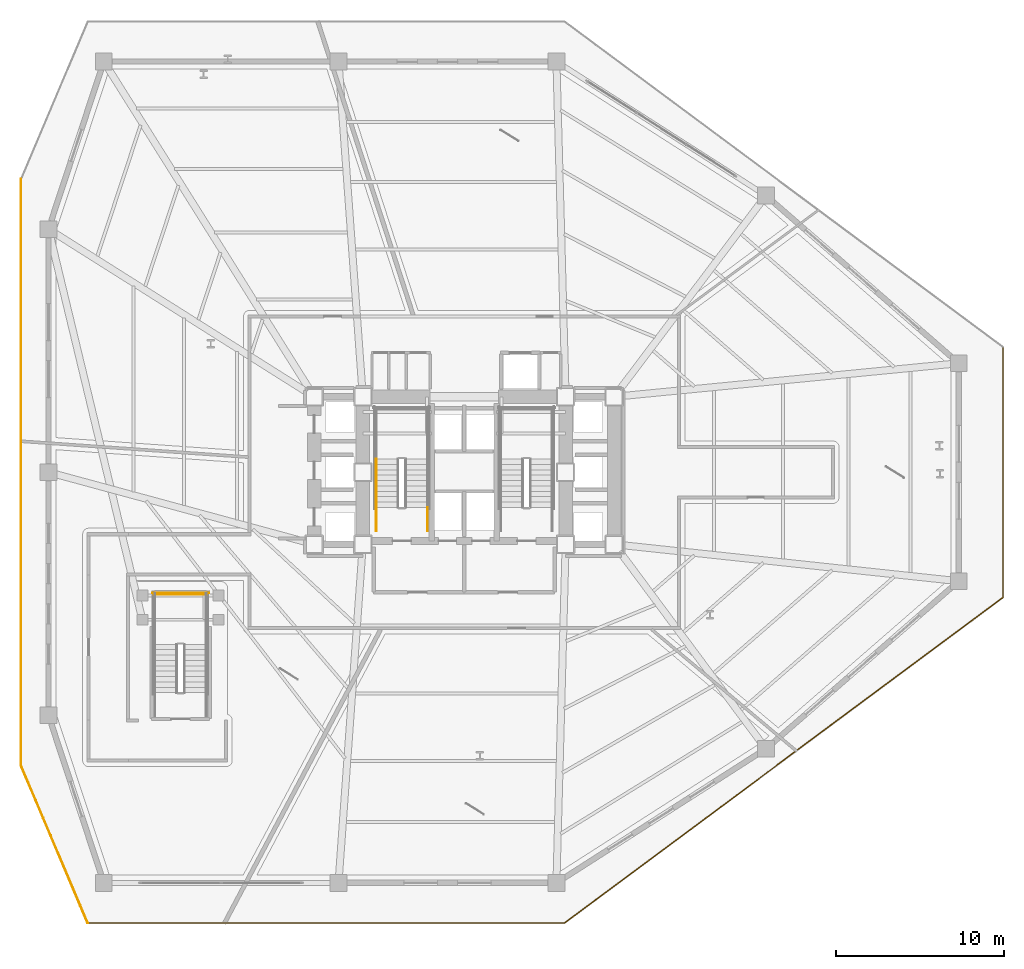
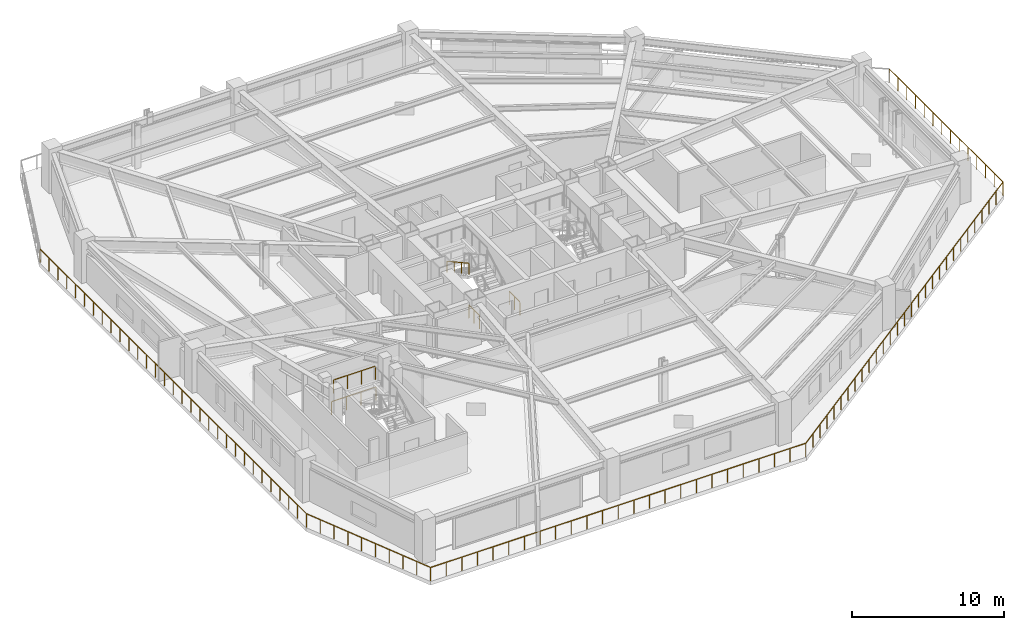
# One storey, part 10 of 12: 7 railings.
"""IFC4 building model written with IfcOpenShell, lengths in metres."""

from ifc_helpers import new_model, si_unit, direction, frame, origin, origin_2d, place, context, subcontext, project, spatial, rectangle, extrude, material, layer, layer_set, type_object, element, save


model = new_model("IFC4")

# Units and contexts
model_context = context("Model", 3, precision=1e-05, world=origin(), true_north=direction((0.0, 1.0)))
body_context = subcontext(model_context, "Body", "Model", "MODEL_VIEW")
ifc_project = project(units=[si_unit("LENGTHUNIT", "METRE"), si_unit("AREAUNIT", "SQUARE_METRE"), si_unit("VOLUMEUNIT", "CUBIC_METRE"), si_unit("PLANEANGLEUNIT", "RADIAN"), si_unit("MASSUNIT", "GRAM", prefix="KILO")], contexts=[model_context])

# Site, building, storey
site_placement = place(None, origin())
site = spatial("IfcSite", under=ifc_project, at=site_placement, CompositionType="ELEMENT")
building_placement = place(site_placement, origin())
building = spatial("IfcBuilding", under=site, at=building_placement, Name="Rocaltana Carrier Exchange", CompositionType="ELEMENT")
storey_placement = place(building_placement, frame((0.0, 0.0, 11.840087890625)))
storey = spatial("IfcBuildingStorey", under=building, at=storey_placement, Name="L04", CompositionType="ELEMENT", Elevation=11.840087890625)

# Railings
ifc_material_1 = material(Name="Brushed Architectural Stainless Tube", Category="steel")
ifc_layer_1 = layer(ifc_material_1, 0.048095703125)
ifc_layer_set_1 = layer_set([ifc_layer_1], Name="Brushed Architectural Stainless Tube")
railing_type_1 = type_object("IfcRailingType", Name="Stair Wall Handrail 920", PredefinedType="HANDRAIL", material=ifc_layer_set_1)
railing_1_placement = place(storey_placement, frame((-5.25, 0.780029296875, 1.935791015625)))
element("IfcRailing", 1, at=railing_1_placement, inside=storey, type_object=railing_type_1, Name="L04 ST-1 stair handrail 2", PredefinedType="HANDRAIL", context=body_context, shape_type="SweptSolid", body=[
    extrude(rectangle(XDim=0.048095703125, YDim=0.048095703125, at=origin_2d()), frame((0.0, 0.0, 0.8759765625), z_axis=(0.0, -0.876195522092, 0.481955814432), x_axis=(1.0, 0.0, 0.0)), (0.0, 0.0, 1.0), 3.287109375),
    extrude(rectangle(XDim=0.0419921875, YDim=0.0419921875, at=origin_2d()), origin(), (0.0, 0.0, 1.0), 0.851806640625),
    extrude(rectangle(XDim=0.0419921875, YDim=0.0419921875, at=origin_2d()), frame((0.0, -0.9599609375, 0.528076171875)), (0.0, 0.0, 1.0), 0.851806640625),
    extrude(rectangle(XDim=0.0419921875, YDim=0.0419921875, at=origin_2d()), frame((0.0, -1.920166015625, 1.05615234375)), (0.0, 0.0, 1.0), 0.851806640625),
    extrude(rectangle(XDim=0.0419921875, YDim=0.0419921875, at=origin_2d()), frame((0.0, -2.880126953125, 1.584228515625)), (0.0, 0.0, 1.0), 0.851806640625),
])
ifc_material_2 = material(Name="Powder-Coated Aluminium 6063-T6", Category="aluminium")
ifc_layer_2 = layer(ifc_material_2, 0.048095703125)
ifc_layer_set_2 = layer_set([ifc_layer_2], Name="Powder-Coated Aluminium 6063-T6")
railing_type_2 = type_object("IfcRailingType", Name="Stair Well Guardrail 1100", PredefinedType="GUARDRAIL", material=ifc_layer_set_2)
for number, where, name in (
    (2, (-2.18994140625, -3.5, 0.0), "L04 ST-1 stair guard 8"),
    (3, (-5.25, -3.5, 0.0), "L04 ST-1 stair guard 9"),
):
    element("IfcRailing", number, at=place(storey_placement, frame(where)), inside=storey, type_object=railing_type_2, Name=name, PredefinedType="GUARDRAIL", context=body_context, shape_type="SweptSolid", body=[
        extrude(rectangle(XDim=0.048095703125, YDim=0.048095703125, at=origin_2d()), frame((0.0, 0.0, 1.076171875), z_axis=(0.0, 1.0, 0.0), x_axis=(-1.0, 0.0, 0.0)), (0.0, 0.0, 1.0), 1.39990234375),
        extrude(rectangle(XDim=0.0419921875, YDim=0.0419921875, at=origin_2d()), origin(), (0.0, 0.0, 1.0), 1.052001953125),
        extrude(rectangle(XDim=0.0419921875, YDim=0.0419921875, at=origin_2d()), frame((0.0, 0.699951171875, 0.0)), (0.0, 0.0, 1.0), 1.052001953125),
        extrude(rectangle(XDim=0.0419921875, YDim=0.0419921875, at=origin_2d()), frame((0.0, 1.39990234375, 0.0)), (0.0, 0.0, 1.0), 1.052001953125),
    ])
railing_2_placement = place(storey_placement, frame((-15.340087890625, -7.300048828125, 1.760009765625)))
element("IfcRailing", 4, at=railing_2_placement, inside=storey, type_object=railing_type_2, Name="L04 ST-3 stair guard 5", PredefinedType="GUARDRAIL", context=body_context, shape_type="SweptSolid", body=[
    extrude(rectangle(XDim=0.048095703125, YDim=0.048095703125, at=origin_2d()), frame((0.0, 0.0, 1.076171875), z_axis=(-1.0, 0.0, 0.0), x_axis=(0.0, -1.0, 0.0)), (0.0, 0.0, 1.0), 3.159912109375),
    extrude(rectangle(XDim=0.0419921875, YDim=0.0419921875, at=origin_2d()), origin(), (0.0, 0.0, 1.0), 1.052001953125),
    extrude(rectangle(XDim=0.0419921875, YDim=0.0419921875, at=origin_2d()), frame((-1.05322265625, 0.0, 0.0)), (0.0, 0.0, 1.0), 1.052001953125),
    extrude(rectangle(XDim=0.0419921875, YDim=0.0419921875, at=origin_2d()), frame((-2.106689453125, 0.0, 0.0)), (0.0, 0.0, 1.0), 1.052001953125),
    extrude(rectangle(XDim=0.0419921875, YDim=0.0419921875, at=origin_2d()), frame((-3.159912109375, 0.0, 0.0)), (0.0, 0.0, 1.0), 1.052001953125),
])
railing_3_placement = place(storey_placement, frame((-15.239990234375, -7.199951171875, 0.0)))
element("IfcRailing", 5, at=railing_3_placement, inside=storey, type_object=railing_type_2, Name="L04 ST-3 stair guard 12", PredefinedType="GUARDRAIL", context=body_context, shape_type="SweptSolid", body=[
    extrude(rectangle(XDim=0.048095703125, YDim=0.048095703125, at=origin_2d()), frame((0.0, 0.0, 1.076171875), z_axis=(-1.0, 0.0, 0.0), x_axis=(0.0, -1.0, 0.0)), (0.0, 0.0, 1.0), 3.360107421875),
    extrude(rectangle(XDim=0.0419921875, YDim=0.0419921875, at=origin_2d()), origin(), (0.0, 0.0, 1.0), 1.052001953125),
    extrude(rectangle(XDim=0.0419921875, YDim=0.0419921875, at=origin_2d()), frame((-1.1201171875, 0.0, 0.0)), (0.0, 0.0, 1.0), 1.052001953125),
    extrude(rectangle(XDim=0.0419921875, YDim=0.0419921875, at=origin_2d()), frame((-2.239990234375, 0.0, 0.0)), (0.0, 0.0, 1.0), 1.052001953125),
    extrude(rectangle(XDim=0.0419921875, YDim=0.0419921875, at=origin_2d()), frame((-3.360107421875, 0.0, 0.0)), (0.0, 0.0, 1.0), 1.052001953125),
])
ifc_material_3 = material(Name="Powder-Coated Aluminium 6063-T6", Category="aluminium")
ifc_layer_3 = layer(ifc_material_3, 0.06005859375)
ifc_layer_set_3 = layer_set([ifc_layer_3], Name="Powder-Coated Aluminium 6063-T6")
railing_type_3 = type_object("IfcRailingType", Name="Wind-Floor & Terrace Perimeter Guardrail 1100", PredefinedType="GUARDRAIL", material=ifc_layer_set_3)
railing_4_placement = place(storey_placement, frame((-22.460205078125, -26.889892578125, 0.0)))
element("IfcRailing", 6, at=railing_4_placement, inside=storey, type_object=railing_type_3, Name="L04 Perimeter Balcony Guardrail 1", PredefinedType="GUARDRAIL", context=body_context, shape_type="SweptSolid", body=[
    extrude(rectangle(XDim=0.048095703125, YDim=0.048095703125, at=origin_2d()), frame((0.0, 0.0, 1.076171875), z_axis=(-0.389799902601, 0.920899579722, 0.0), x_axis=(-0.920899579722, -0.389799902601, 0.0)), (0.0, 0.0, 1.0), 10.209716796875),
    extrude(rectangle(XDim=0.048095703125, YDim=0.048095703125, at=origin_2d()), frame((-3.979736328125, 9.402099609375, 1.076171875), z_axis=(0.0, 1.0, 0.0), x_axis=(-1.0, 0.0, 0.0)), (0.0, 0.0, 1.0), 34.9755859375),
    extrude(rectangle(XDim=0.0419921875, YDim=0.0419921875, at=origin_2d()), origin(), (0.0, 0.0, 1.0), 1.052001953125),
    extrude(rectangle(XDim=0.0419921875, YDim=0.0419921875, at=origin_2d()), frame((-0.442138671875, 1.044677734375, 0.0)), (0.0, 0.0, 1.0), 1.052001953125),
    extrude(rectangle(XDim=0.0419921875, YDim=0.0419921875, at=origin_2d()), frame((-0.88427734375, 2.08935546875, 0.0)), (0.0, 0.0, 1.0), 1.052001953125),
    extrude(rectangle(XDim=0.0419921875, YDim=0.0419921875, at=origin_2d()), frame((-1.32666015625, 3.134033203125, 0.0)), (0.0, 0.0, 1.0), 1.052001953125),
    extrude(rectangle(XDim=0.0419921875, YDim=0.0419921875, at=origin_2d()), frame((-1.768798828125, 4.1787109375, 0.0)), (0.0, 0.0, 1.0), 1.052001953125),
    extrude(rectangle(XDim=0.0419921875, YDim=0.0419921875, at=origin_2d()), frame((-2.2109375, 5.223388671875, 0.0)), (0.0, 0.0, 1.0), 1.052001953125),
    extrude(rectangle(XDim=0.0419921875, YDim=0.0419921875, at=origin_2d()), frame((-2.653076171875, 6.26806640625, 0.0)), (0.0, 0.0, 1.0), 1.052001953125),
    extrude(rectangle(XDim=0.0419921875, YDim=0.0419921875, at=origin_2d()), frame((-3.095458984375, 7.312744140625, 0.0)), (0.0, 0.0, 1.0), 1.052001953125),
    extrude(rectangle(XDim=0.0419921875, YDim=0.0419921875, at=origin_2d()), frame((-3.53759765625, 8.357421875, 0.0)), (0.0, 0.0, 1.0), 1.052001953125),
    extrude(rectangle(XDim=0.0419921875, YDim=0.0419921875, at=origin_2d()), frame((-3.979736328125, 9.402099609375, 0.0)), (0.0, 0.0, 1.0), 1.052001953125),
    extrude(rectangle(XDim=0.0419921875, YDim=0.0419921875, at=origin_2d()), frame((-3.979736328125, 10.56787109375, 0.0)), (0.0, 0.0, 1.0), 1.052001953125),
    extrude(rectangle(XDim=0.0419921875, YDim=0.0419921875, at=origin_2d()), frame((-3.979736328125, 11.73388671875, 0.0)), (0.0, 0.0, 1.0), 1.052001953125),
    extrude(rectangle(XDim=0.0419921875, YDim=0.0419921875, at=origin_2d()), frame((-3.979736328125, 12.899658203125, 0.0)), (0.0, 0.0, 1.0), 1.052001953125),
    extrude(rectangle(XDim=0.0419921875, YDim=0.0419921875, at=origin_2d()), frame((-3.979736328125, 14.0654296875, 0.0)), (0.0, 0.0, 1.0), 1.052001953125),
    extrude(rectangle(XDim=0.0419921875, YDim=0.0419921875, at=origin_2d()), frame((-3.979736328125, 15.2314453125, 0.0)), (0.0, 0.0, 1.0), 1.052001953125),
    extrude(rectangle(XDim=0.0419921875, YDim=0.0419921875, at=origin_2d()), frame((-3.979736328125, 16.397216796875, 0.0)), (0.0, 0.0, 1.0), 1.052001953125),
    extrude(rectangle(XDim=0.0419921875, YDim=0.0419921875, at=origin_2d()), frame((-3.979736328125, 17.56298828125, 0.0)), (0.0, 0.0, 1.0), 1.052001953125),
    extrude(rectangle(XDim=0.0419921875, YDim=0.0419921875, at=origin_2d()), frame((-3.979736328125, 18.72900390625, 0.0)), (0.0, 0.0, 1.0), 1.052001953125),
    extrude(rectangle(XDim=0.0419921875, YDim=0.0419921875, at=origin_2d()), frame((-3.979736328125, 19.894775390625, 0.0)), (0.0, 0.0, 1.0), 1.052001953125),
    extrude(rectangle(XDim=0.0419921875, YDim=0.0419921875, at=origin_2d()), frame((-3.979736328125, 21.060546875, 0.0)), (0.0, 0.0, 1.0), 1.052001953125),
    extrude(rectangle(XDim=0.0419921875, YDim=0.0419921875, at=origin_2d()), frame((-3.979736328125, 22.2265625, 0.0)), (0.0, 0.0, 1.0), 1.052001953125),
    extrude(rectangle(XDim=0.0419921875, YDim=0.0419921875, at=origin_2d()), frame((-3.979736328125, 23.392333984375, 0.0)), (0.0, 0.0, 1.0), 1.052001953125),
    extrude(rectangle(XDim=0.0419921875, YDim=0.0419921875, at=origin_2d()), frame((-3.979736328125, 24.55810546875, 0.0)), (0.0, 0.0, 1.0), 1.052001953125),
    extrude(rectangle(XDim=0.0419921875, YDim=0.0419921875, at=origin_2d()), frame((-3.979736328125, 25.72412109375, 0.0)), (0.0, 0.0, 1.0), 1.052001953125),
    extrude(rectangle(XDim=0.0419921875, YDim=0.0419921875, at=origin_2d()), frame((-3.979736328125, 26.889892578125, 0.0)), (0.0, 0.0, 1.0), 1.052001953125),
    extrude(rectangle(XDim=0.0419921875, YDim=0.0419921875, at=origin_2d()), frame((-3.979736328125, 28.0556640625, 0.0)), (0.0, 0.0, 1.0), 1.052001953125),
    extrude(rectangle(XDim=0.0419921875, YDim=0.0419921875, at=origin_2d()), frame((-3.979736328125, 29.2216796875, 0.0)), (0.0, 0.0, 1.0), 1.052001953125),
    extrude(rectangle(XDim=0.0419921875, YDim=0.0419921875, at=origin_2d()), frame((-3.979736328125, 30.387451171875, 0.0)), (0.0, 0.0, 1.0), 1.052001953125),
    extrude(rectangle(XDim=0.0419921875, YDim=0.0419921875, at=origin_2d()), frame((-3.979736328125, 31.55322265625, 0.0)), (0.0, 0.0, 1.0), 1.052001953125),
    extrude(rectangle(XDim=0.0419921875, YDim=0.0419921875, at=origin_2d()), frame((-3.979736328125, 32.71923828125, 0.0)), (0.0, 0.0, 1.0), 1.052001953125),
    extrude(rectangle(XDim=0.0419921875, YDim=0.0419921875, at=origin_2d()), frame((-3.979736328125, 33.885009765625, 0.0)), (0.0, 0.0, 1.0), 1.052001953125),
    extrude(rectangle(XDim=0.0419921875, YDim=0.0419921875, at=origin_2d()), frame((-3.979736328125, 35.05078125, 0.0)), (0.0, 0.0, 1.0), 1.052001953125),
    extrude(rectangle(XDim=0.0419921875, YDim=0.0419921875, at=origin_2d()), frame((-3.979736328125, 36.216796875, 0.0)), (0.0, 0.0, 1.0), 1.052001953125),
    extrude(rectangle(XDim=0.0419921875, YDim=0.0419921875, at=origin_2d()), frame((-3.979736328125, 37.382568359375, 0.0)), (0.0, 0.0, 1.0), 1.052001953125),
    extrude(rectangle(XDim=0.0419921875, YDim=0.0419921875, at=origin_2d()), frame((-3.979736328125, 38.54833984375, 0.0)), (0.0, 0.0, 1.0), 1.052001953125),
    extrude(rectangle(XDim=0.0419921875, YDim=0.0419921875, at=origin_2d()), frame((-3.979736328125, 39.71435546875, 0.0)), (0.0, 0.0, 1.0), 1.052001953125),
    extrude(rectangle(XDim=0.0419921875, YDim=0.0419921875, at=origin_2d()), frame((-3.979736328125, 40.880126953125, 0.0)), (0.0, 0.0, 1.0), 1.052001953125),
    extrude(rectangle(XDim=0.0419921875, YDim=0.0419921875, at=origin_2d()), frame((-3.979736328125, 42.0458984375, 0.0)), (0.0, 0.0, 1.0), 1.052001953125),
    extrude(rectangle(XDim=0.0419921875, YDim=0.0419921875, at=origin_2d()), frame((-3.979736328125, 43.2119140625, 0.0)), (0.0, 0.0, 1.0), 1.052001953125),
    extrude(rectangle(XDim=0.0419921875, YDim=0.0419921875, at=origin_2d()), frame((-3.979736328125, 44.377685546875, 0.0)), (0.0, 0.0, 1.0), 1.052001953125),
])
railing_5_placement = place(storey_placement, frame((32.139892578125, 7.4697265625, 0.0)))
element("IfcRailing", 7, at=railing_5_placement, inside=storey, type_object=railing_type_3, Name="L04 Perimeter Balcony Guardrail 3", PredefinedType="GUARDRAIL", context=body_context, shape_type="SweptSolid", body=[
    extrude(rectangle(XDim=0.048095703125, YDim=0.048095703125, at=origin_2d()), frame((0.0, 0.0, 1.076171875), z_axis=(0.0, -1.0, 0.0), x_axis=(1.0, 0.0, 0.0)), (0.0, 0.0, 1.0), 14.939453125),
    extrude(rectangle(XDim=0.048095703125, YDim=0.048095703125, at=origin_2d()), frame((0.0, -14.939453125, 1.076171875), z_axis=(-0.802930850868, -0.596072184156, 0.0), x_axis=(0.596072184156, -0.802930850868, 0.0)), (0.0, 0.0, 1.0), 32.580322265625),
    extrude(rectangle(XDim=0.048095703125, YDim=0.048095703125, at=origin_2d()), frame((-26.15966796875, -34.359619140625, 1.076171875), z_axis=(-1.0, 0.0, 0.0), x_axis=(0.0, -1.0, 0.0)), (0.0, 0.0, 1.0), 28.4404296875),
    extrude(rectangle(XDim=0.0419921875, YDim=0.0419921875, at=origin_2d()), origin(), (0.0, 0.0, 1.0), 1.052001953125),
    extrude(rectangle(XDim=0.0419921875, YDim=0.0419921875, at=origin_2d()), frame((0.0, -1.149169921875, 0.0)), (0.0, 0.0, 1.0), 1.052001953125),
    extrude(rectangle(XDim=0.0419921875, YDim=0.0419921875, at=origin_2d()), frame((0.0, -2.29833984375, 0.0)), (0.0, 0.0, 1.0), 1.052001953125),
    extrude(rectangle(XDim=0.0419921875, YDim=0.0419921875, at=origin_2d()), frame((0.0, -3.447509765625, 0.0)), (0.0, 0.0, 1.0), 1.052001953125),
    extrude(rectangle(XDim=0.0419921875, YDim=0.0419921875, at=origin_2d()), frame((0.0, -4.5966796875, 0.0)), (0.0, 0.0, 1.0), 1.052001953125),
    extrude(rectangle(XDim=0.0419921875, YDim=0.0419921875, at=origin_2d()), frame((0.0, -5.745849609375, 0.0)), (0.0, 0.0, 1.0), 1.052001953125),
    extrude(rectangle(XDim=0.0419921875, YDim=0.0419921875, at=origin_2d()), frame((0.0, -6.89501953125, 0.0)), (0.0, 0.0, 1.0), 1.052001953125),
    extrude(rectangle(XDim=0.0419921875, YDim=0.0419921875, at=origin_2d()), frame((0.0, -8.04443359375, 0.0)), (0.0, 0.0, 1.0), 1.052001953125),
    extrude(rectangle(XDim=0.0419921875, YDim=0.0419921875, at=origin_2d()), frame((0.0, -9.193603515625, 0.0)), (0.0, 0.0, 1.0), 1.052001953125),
    extrude(rectangle(XDim=0.0419921875, YDim=0.0419921875, at=origin_2d()), frame((0.0, -10.3427734375, 0.0)), (0.0, 0.0, 1.0), 1.052001953125),
    extrude(rectangle(XDim=0.0419921875, YDim=0.0419921875, at=origin_2d()), frame((0.0, -11.491943359375, 0.0)), (0.0, 0.0, 1.0), 1.052001953125),
    extrude(rectangle(XDim=0.0419921875, YDim=0.0419921875, at=origin_2d()), frame((0.0, -12.64111328125, 0.0)), (0.0, 0.0, 1.0), 1.052001953125),
    extrude(rectangle(XDim=0.0419921875, YDim=0.0419921875, at=origin_2d()), frame((0.0, -13.790283203125, 0.0)), (0.0, 0.0, 1.0), 1.052001953125),
    extrude(rectangle(XDim=0.0419921875, YDim=0.0419921875, at=origin_2d()), frame((0.0, -14.939453125, 0.0)), (0.0, 0.0, 1.0), 1.052001953125),
    extrude(rectangle(XDim=0.0419921875, YDim=0.0419921875, at=origin_2d()), frame((-0.934326171875, -15.633056640625, 0.0)), (0.0, 0.0, 1.0), 1.052001953125),
    extrude(rectangle(XDim=0.0419921875, YDim=0.0419921875, at=origin_2d()), frame((-1.86865234375, -16.32666015625, 0.0)), (0.0, 0.0, 1.0), 1.052001953125),
    extrude(rectangle(XDim=0.0419921875, YDim=0.0419921875, at=origin_2d()), frame((-2.802734375, -17.020263671875, 0.0)), (0.0, 0.0, 1.0), 1.052001953125),
    extrude(rectangle(XDim=0.0419921875, YDim=0.0419921875, at=origin_2d()), frame((-3.737060546875, -17.7138671875, 0.0)), (0.0, 0.0, 1.0), 1.052001953125),
    extrude(rectangle(XDim=0.0419921875, YDim=0.0419921875, at=origin_2d()), frame((-4.67138671875, -18.4072265625, 0.0)), (0.0, 0.0, 1.0), 1.052001953125),
    extrude(rectangle(XDim=0.0419921875, YDim=0.0419921875, at=origin_2d()), frame((-5.605712890625, -19.100830078125, 0.0)), (0.0, 0.0, 1.0), 1.052001953125),
    extrude(rectangle(XDim=0.0419921875, YDim=0.0419921875, at=origin_2d()), frame((-6.5400390625, -19.79443359375, 0.0)), (0.0, 0.0, 1.0), 1.052001953125),
    extrude(rectangle(XDim=0.0419921875, YDim=0.0419921875, at=origin_2d()), frame((-7.47412109375, -20.488037109375, 0.0)), (0.0, 0.0, 1.0), 1.052001953125),
    extrude(rectangle(XDim=0.0419921875, YDim=0.0419921875, at=origin_2d()), frame((-8.408447265625, -21.181640625, 0.0)), (0.0, 0.0, 1.0), 1.052001953125),
    extrude(rectangle(XDim=0.0419921875, YDim=0.0419921875, at=origin_2d()), frame((-9.3427734375, -21.875244140625, 0.0)), (0.0, 0.0, 1.0), 1.052001953125),
    extrude(rectangle(XDim=0.0419921875, YDim=0.0419921875, at=origin_2d()), frame((-10.277099609375, -22.56884765625, 0.0)), (0.0, 0.0, 1.0), 1.052001953125),
    extrude(rectangle(XDim=0.0419921875, YDim=0.0419921875, at=origin_2d()), frame((-11.211181640625, -23.262451171875, 0.0)), (0.0, 0.0, 1.0), 1.052001953125),
    extrude(rectangle(XDim=0.0419921875, YDim=0.0419921875, at=origin_2d()), frame((-12.1455078125, -23.9560546875, 0.0)), (0.0, 0.0, 1.0), 1.052001953125),
    extrude(rectangle(XDim=0.0419921875, YDim=0.0419921875, at=origin_2d()), frame((-13.079833984375, -24.6494140625, 0.0)), (0.0, 0.0, 1.0), 1.052001953125),
    extrude(rectangle(XDim=0.0419921875, YDim=0.0419921875, at=origin_2d()), frame((-14.01416015625, -25.343017578125, 0.0)), (0.0, 0.0, 1.0), 1.052001953125),
    extrude(rectangle(XDim=0.0419921875, YDim=0.0419921875, at=origin_2d()), frame((-14.948486328125, -26.03662109375, 0.0)), (0.0, 0.0, 1.0), 1.052001953125),
    extrude(rectangle(XDim=0.0419921875, YDim=0.0419921875, at=origin_2d()), frame((-15.882568359375, -26.730224609375, 0.0)), (0.0, 0.0, 1.0), 1.052001953125),
    extrude(rectangle(XDim=0.0419921875, YDim=0.0419921875, at=origin_2d()), frame((-16.81689453125, -27.423828125, 0.0)), (0.0, 0.0, 1.0), 1.052001953125),
    extrude(rectangle(XDim=0.0419921875, YDim=0.0419921875, at=origin_2d()), frame((-17.751220703125, -28.117431640625, 0.0)), (0.0, 0.0, 1.0), 1.052001953125),
    extrude(rectangle(XDim=0.0419921875, YDim=0.0419921875, at=origin_2d()), frame((-18.685546875, -28.81103515625, 0.0)), (0.0, 0.0, 1.0), 1.052001953125),
    extrude(rectangle(XDim=0.0419921875, YDim=0.0419921875, at=origin_2d()), frame((-19.61962890625, -29.504638671875, 0.0)), (0.0, 0.0, 1.0), 1.052001953125),
    extrude(rectangle(XDim=0.0419921875, YDim=0.0419921875, at=origin_2d()), frame((-20.553955078125, -30.1982421875, 0.0)), (0.0, 0.0, 1.0), 1.052001953125),
    extrude(rectangle(XDim=0.0419921875, YDim=0.0419921875, at=origin_2d()), frame((-21.48828125, -30.891845703125, 0.0)), (0.0, 0.0, 1.0), 1.052001953125),
    extrude(rectangle(XDim=0.0419921875, YDim=0.0419921875, at=origin_2d()), frame((-22.422607421875, -31.585205078125, 0.0)), (0.0, 0.0, 1.0), 1.052001953125),
    extrude(rectangle(XDim=0.0419921875, YDim=0.0419921875, at=origin_2d()), frame((-23.35693359375, -32.27880859375, 0.0)), (0.0, 0.0, 1.0), 1.052001953125),
    extrude(rectangle(XDim=0.0419921875, YDim=0.0419921875, at=origin_2d()), frame((-24.291015625, -32.972412109375, 0.0)), (0.0, 0.0, 1.0), 1.052001953125),
    extrude(rectangle(XDim=0.0419921875, YDim=0.0419921875, at=origin_2d()), frame((-25.225341796875, -33.666015625, 0.0)), (0.0, 0.0, 1.0), 1.052001953125),
    extrude(rectangle(XDim=0.0419921875, YDim=0.0419921875, at=origin_2d()), frame((-26.15966796875, -34.359619140625, 0.0)), (0.0, 0.0, 1.0), 1.052001953125),
    extrude(rectangle(XDim=0.0419921875, YDim=0.0419921875, at=origin_2d()), frame((-27.3447265625, -34.359619140625, 0.0)), (0.0, 0.0, 1.0), 1.052001953125),
    extrude(rectangle(XDim=0.0419921875, YDim=0.0419921875, at=origin_2d()), frame((-28.52978515625, -34.359619140625, 0.0)), (0.0, 0.0, 1.0), 1.052001953125),
    extrude(rectangle(XDim=0.0419921875, YDim=0.0419921875, at=origin_2d()), frame((-29.71484375, -34.359619140625, 0.0)), (0.0, 0.0, 1.0), 1.052001953125),
    extrude(rectangle(XDim=0.0419921875, YDim=0.0419921875, at=origin_2d()), frame((-30.899658203125, -34.359619140625, 0.0)), (0.0, 0.0, 1.0), 1.052001953125),
    extrude(rectangle(XDim=0.0419921875, YDim=0.0419921875, at=origin_2d()), frame((-32.084716796875, -34.359619140625, 0.0)), (0.0, 0.0, 1.0), 1.052001953125),
    extrude(rectangle(XDim=0.0419921875, YDim=0.0419921875, at=origin_2d()), frame((-33.269775390625, -34.359619140625, 0.0)), (0.0, 0.0, 1.0), 1.052001953125),
    extrude(rectangle(XDim=0.0419921875, YDim=0.0419921875, at=origin_2d()), frame((-34.454833984375, -34.359619140625, 0.0)), (0.0, 0.0, 1.0), 1.052001953125),
    extrude(rectangle(XDim=0.0419921875, YDim=0.0419921875, at=origin_2d()), frame((-35.639892578125, -34.359619140625, 0.0)), (0.0, 0.0, 1.0), 1.052001953125),
    extrude(rectangle(XDim=0.0419921875, YDim=0.0419921875, at=origin_2d()), frame((-36.82470703125, -34.359619140625, 0.0)), (0.0, 0.0, 1.0), 1.052001953125),
    extrude(rectangle(XDim=0.0419921875, YDim=0.0419921875, at=origin_2d()), frame((-38.009765625, -34.359619140625, 0.0)), (0.0, 0.0, 1.0), 1.052001953125),
    extrude(rectangle(XDim=0.0419921875, YDim=0.0419921875, at=origin_2d()), frame((-39.19482421875, -34.359619140625, 0.0)), (0.0, 0.0, 1.0), 1.052001953125),
    extrude(rectangle(XDim=0.0419921875, YDim=0.0419921875, at=origin_2d()), frame((-40.3798828125, -34.359619140625, 0.0)), (0.0, 0.0, 1.0), 1.052001953125),
    extrude(rectangle(XDim=0.0419921875, YDim=0.0419921875, at=origin_2d()), frame((-41.56494140625, -34.359619140625, 0.0)), (0.0, 0.0, 1.0), 1.052001953125),
    extrude(rectangle(XDim=0.0419921875, YDim=0.0419921875, at=origin_2d()), frame((-42.75, -34.359619140625, 0.0)), (0.0, 0.0, 1.0), 1.052001953125),
    extrude(rectangle(XDim=0.0419921875, YDim=0.0419921875, at=origin_2d()), frame((-43.93505859375, -34.359619140625, 0.0)), (0.0, 0.0, 1.0), 1.052001953125),
    extrude(rectangle(XDim=0.0419921875, YDim=0.0419921875, at=origin_2d()), frame((-45.119873046875, -34.359619140625, 0.0)), (0.0, 0.0, 1.0), 1.052001953125),
    extrude(rectangle(XDim=0.0419921875, YDim=0.0419921875, at=origin_2d()), frame((-46.304931640625, -34.359619140625, 0.0)), (0.0, 0.0, 1.0), 1.052001953125),
    extrude(rectangle(XDim=0.0419921875, YDim=0.0419921875, at=origin_2d()), frame((-47.489990234375, -34.359619140625, 0.0)), (0.0, 0.0, 1.0), 1.052001953125),
    extrude(rectangle(XDim=0.0419921875, YDim=0.0419921875, at=origin_2d()), frame((-48.675048828125, -34.359619140625, 0.0)), (0.0, 0.0, 1.0), 1.052001953125),
    extrude(rectangle(XDim=0.0419921875, YDim=0.0419921875, at=origin_2d()), frame((-49.860107421875, -34.359619140625, 0.0)), (0.0, 0.0, 1.0), 1.052001953125),
    extrude(rectangle(XDim=0.0419921875, YDim=0.0419921875, at=origin_2d()), frame((-51.044921875, -34.359619140625, 0.0)), (0.0, 0.0, 1.0), 1.052001953125),
    extrude(rectangle(XDim=0.0419921875, YDim=0.0419921875, at=origin_2d()), frame((-52.22998046875, -34.359619140625, 0.0)), (0.0, 0.0, 1.0), 1.052001953125),
    extrude(rectangle(XDim=0.0419921875, YDim=0.0419921875, at=origin_2d()), frame((-53.4150390625, -34.359619140625, 0.0)), (0.0, 0.0, 1.0), 1.052001953125),
    extrude(rectangle(XDim=0.0419921875, YDim=0.0419921875, at=origin_2d()), frame((-54.60009765625, -34.359619140625, 0.0)), (0.0, 0.0, 1.0), 1.052001953125),
])

save(model, "model.ifc")
